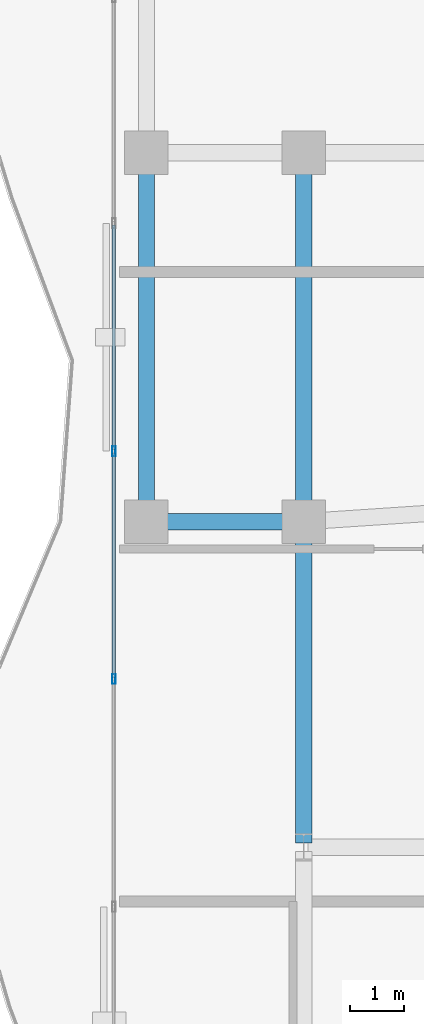
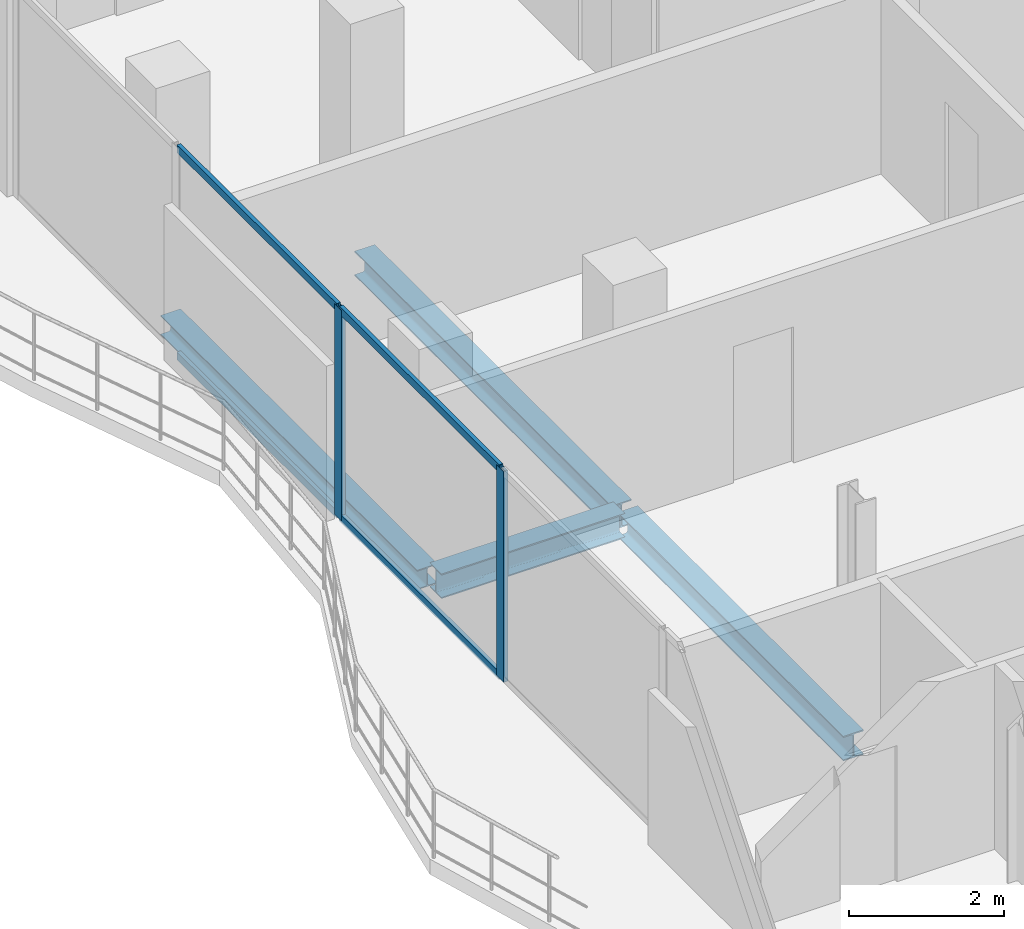
# One storey, part 7 of 24: 6 members, 4 beams, 1 element without a shape of its own.
"""IFC4 building model written with IfcOpenShell, lengths in metres."""

from ifc_helpers import new_model, si_unit, direction, frame, origin, origin_2d, place, context, subcontext, project, spatial, hollow_rectangle, i_section, extrude, material, layer, layer_set, material_profile, profile_set, type_object, element, aggregate, save


model = new_model("IFC4")

# Units and contexts
model_context = context("Model", 3, precision=1e-05, world=origin(), true_north=direction((0.0, 1.0)))
body_context = subcontext(model_context, "Body", "Model", "MODEL_VIEW")
ifc_project = project(units=[si_unit("LENGTHUNIT", "METRE"), si_unit("AREAUNIT", "SQUARE_METRE"), si_unit("VOLUMEUNIT", "CUBIC_METRE"), si_unit("PLANEANGLEUNIT", "RADIAN"), si_unit("MASSUNIT", "GRAM", prefix="KILO")], contexts=[model_context])

# Site, building, storey
site_placement = place(None, origin())
site = spatial("IfcSite", under=ifc_project, at=site_placement, CompositionType="ELEMENT")
building_placement = place(site_placement, origin())
building = spatial("IfcBuilding", under=site, at=building_placement, Name="Catumbela Crestline Tower", CompositionType="ELEMENT")
storey_placement = place(building_placement, frame((0.0, 0.0, 161.4)))
storey = spatial("IfcBuildingStorey", under=building, at=storey_placement, Name="L41", CompositionType="ELEMENT", Elevation=161.4)

# Beams
ifc_material_1 = material(Name="Structural steel S355J2", Category="steel")
ifc_material_profile_1 = material_profile(ifc_material_1, i_section(OverallWidth=0.3, OverallDepth=0.39, WebThickness=0.011, FlangeThickness=0.019, FilletRadius=0.027, at=origin_2d()), Name="HEA 400")
ifc_profile_set_1 = profile_set([ifc_material_profile_1], Name="Structural steel S355J2")
beam_type_1 = type_object("IfcBeamType", Name="BG-HEA400", PredefinedType="BEAM", material=ifc_profile_set_1)
beam_1_placement = place(storey_placement, frame((5.68, 24.0, -0.455), z_axis=(1.0, 0.0, 0.0), x_axis=(0.0, 1.0, 0.0)))
element("IfcBeam", 1, at=beam_1_placement, inside=storey, type_object=beam_type_1, Name="L41 Beam BM-L41-S01", PredefinedType="BEAM", context=body_context, shape_type="SweptSolid", body=[
    extrude(i_section(OverallWidth=0.3, OverallDepth=0.39, WebThickness=0.011, FlangeThickness=0.019, FilletRadius=0.027, at=origin_2d()), origin(), (0.0, 0.0, 1.0), 2.74),
])
beam_2_placement = place(storey_placement, frame((8.5, 24.08, -0.455), z_axis=(0.0, 1.0, 0.0), x_axis=(-1.0, 0.0, 0.0)))
element("IfcBeam", 2, at=beam_2_placement, inside=storey, type_object=beam_type_1, Name="L41 Beam BM-L41-SN16", PredefinedType="BEAM", context=body_context, shape_type="SweptSolid", body=[
    extrude(i_section(OverallWidth=0.3, OverallDepth=0.39, WebThickness=0.011, FlangeThickness=0.019, FilletRadius=0.027, at=origin_2d()), origin(), (0.0, 0.0, 1.0), 6.64),
])
beam_3_placement = place(storey_placement, frame((8.5, 18.08, -0.455), z_axis=(0.0, 1.0, 0.0), x_axis=(-1.0, 0.0, 0.0)))
element("IfcBeam", 3, at=beam_3_placement, inside=storey, type_object=beam_type_1, Name="L41 Beam BM-L41-WNS39", PredefinedType="BEAM", context=body_context, shape_type="SweptSolid", body=[
    extrude(i_section(OverallWidth=0.3, OverallDepth=0.39, WebThickness=0.011, FlangeThickness=0.019, FilletRadius=0.027, at=origin_2d()), origin(), (0.0, 0.0, 1.0), 5.84),
])

# Curtain wall, members
ifc_material_2 = material(Name="Aluminium alloy AW-6060-T66", Category="aluminium")
ifc_layer = layer(ifc_material_2, 0.18, Name="Aluminium alloy AW-6060-T66")
ifc_layer_set = layer_set([ifc_layer], Name="Aluminium alloy AW-6060-T66")
curtain_wall_type = type_object("IfcCurtainWallType", Name="CWU-Z3", PredefinedType="USERDEFINED", material=ifc_layer_set)
curtain_wall_placement = place(storey_placement, origin())
curtain_wall = element("IfcCurtainWall", 4, at=curtain_wall_placement, inside=storey, type_object=curtain_wall_type, Name="L41 Unitised Curtain Wall CW-L41-E9S2", ObjectType="UNITISED", PredefinedType="USERDEFINED")
ifc_material_profile_2 = material_profile(ifc_material_2, hollow_rectangle(XDim=0.065, YDim=0.18, WallThickness=0.004, at=origin_2d()), Name="ALU 180x65x4")
ifc_profile_set_2 = profile_set([ifc_material_profile_2], Name="Aluminium alloy AW-6060-T66")
member_type_1 = type_object("IfcMemberType", Name="MUL-180X65", PredefinedType="MULLION", material=ifc_profile_set_2)
member_1_placement = place(storey_placement, frame((5.0, 25.3, 0.0), z_axis=(0.0, 0.0, 1.0), x_axis=(1.0, 0.0, 0.0)))
member_1 = element("IfcMember", 5, at=member_1_placement, type_object=member_type_1, Name="CWU-Z3 mullion 3", PredefinedType="MULLION", context=body_context, shape_type="SweptSolid", body=[
    extrude(hollow_rectangle(XDim=0.065, YDim=0.18, WallThickness=0.004, at=origin_2d()), origin(), (0.0, 0.0, 1.0), 3.33),
])
member_2_placement = place(storey_placement, frame((5.0, 21.1, 0.0), z_axis=(0.0, 0.0, 1.0), x_axis=(1.0, 0.0, 0.0)))
member_2 = element("IfcMember", 6, at=member_2_placement, type_object=member_type_1, Name="CWU-Z3 mullion 4", PredefinedType="MULLION", context=body_context, shape_type="SweptSolid", body=[
    extrude(hollow_rectangle(XDim=0.065, YDim=0.18, WallThickness=0.004, at=origin_2d()), origin(), (0.0, 0.0, 1.0), 3.33),
])

# Beam
ifc_material_profile_3 = material_profile(ifc_material_1, i_section(OverallWidth=0.3, OverallDepth=0.31, WebThickness=0.009, FlangeThickness=0.0155, FilletRadius=0.027, at=origin_2d()), Name="HEA 320")
ifc_profile_set_3 = profile_set([ifc_material_profile_3], Name="Structural steel S355J2")
beam_type_2 = type_object("IfcBeamType", Name="BS-HEA320", PredefinedType="SPANDREL", material=ifc_profile_set_3)
beam_4_placement = place(storey_placement, frame((5.6, 24.08, -0.415), z_axis=(0.0, 1.0, 0.0), x_axis=(-1.0, 0.0, 0.0)))
element("IfcBeam", 7, at=beam_4_placement, inside=storey, type_object=beam_type_2, Name="L41 Spandrel SP-L41-SN14", PredefinedType="SPANDREL", context=body_context, shape_type="SweptSolid", body=[
    extrude(i_section(OverallWidth=0.3, OverallDepth=0.31, WebThickness=0.009, FlangeThickness=0.0155, FilletRadius=0.027, at=origin_2d()), origin(), (0.0, 0.0, 1.0), 6.64),
])

# Member
ifc_material_profile_4 = material_profile(ifc_material_2, hollow_rectangle(XDim=0.06, YDim=0.12, WallThickness=0.0035, at=origin_2d()), Name="ALU 120x60x3.5")
ifc_profile_set_4 = profile_set([ifc_material_profile_4], Name="Aluminium alloy AW-6060-T66")
member_type_2 = type_object("IfcMemberType", Name="TRN-120X60", PredefinedType="USERDEFINED", material=ifc_profile_set_4)
member_3_placement = place(storey_placement, frame((5.0, 29.4675, 0.03), z_axis=(0.0, -1.0, 0.0), x_axis=(1.0, 0.0, 0.0)))
member_3 = element("IfcMember", 8, at=member_3_placement, type_object=member_type_2, Name="CWU-Z3 transom 2.1", ObjectType="TRANSOM", PredefinedType="USERDEFINED", context=body_context, shape_type="SweptSolid", body=[
    extrude(hollow_rectangle(XDim=0.06, YDim=0.12, WallThickness=0.0035, at=origin_2d()), origin(), (0.0, 0.0, 1.0), 4.135),
])

member_4_placement = place(storey_placement, frame((5.0, 29.4675, 3.3), z_axis=(0.0, -1.0, 0.0), x_axis=(1.0, 0.0, 0.0)))
member_4 = element("IfcMember", 9, at=member_4_placement, type_object=member_type_2, Name="CWU-Z3 transom 2.2", ObjectType="TRANSOM", PredefinedType="USERDEFINED", context=body_context, shape_type="SweptSolid", body=[
    extrude(hollow_rectangle(XDim=0.06, YDim=0.12, WallThickness=0.0035, at=origin_2d()), origin(), (0.0, 0.0, 1.0), 4.135),
])

member_5_placement = place(storey_placement, frame((5.0, 25.2675, 0.03), z_axis=(0.0, -1.0, 0.0), x_axis=(1.0, 0.0, 0.0)))
member_5 = element("IfcMember", 10, at=member_5_placement, type_object=member_type_2, Name="CWU-Z3 transom 3.1", ObjectType="TRANSOM", PredefinedType="USERDEFINED", context=body_context, shape_type="SweptSolid", body=[
    extrude(hollow_rectangle(XDim=0.06, YDim=0.12, WallThickness=0.0035, at=origin_2d()), origin(), (0.0, 0.0, 1.0), 4.135),
])

member_6_placement = place(storey_placement, frame((5.0, 25.2675, 3.3), z_axis=(0.0, -1.0, 0.0), x_axis=(1.0, 0.0, 0.0)))
member_6 = element("IfcMember", 11, at=member_6_placement, type_object=member_type_2, Name="CWU-Z3 transom 3.2", ObjectType="TRANSOM", PredefinedType="USERDEFINED", context=body_context, shape_type="SweptSolid", body=[
    extrude(hollow_rectangle(XDim=0.06, YDim=0.12, WallThickness=0.0035, at=origin_2d()), origin(), (0.0, 0.0, 1.0), 4.135),
])

aggregate(curtain_wall, [member_1, member_2, member_3, member_4, member_5, member_6])

save(model, "model.ifc")
